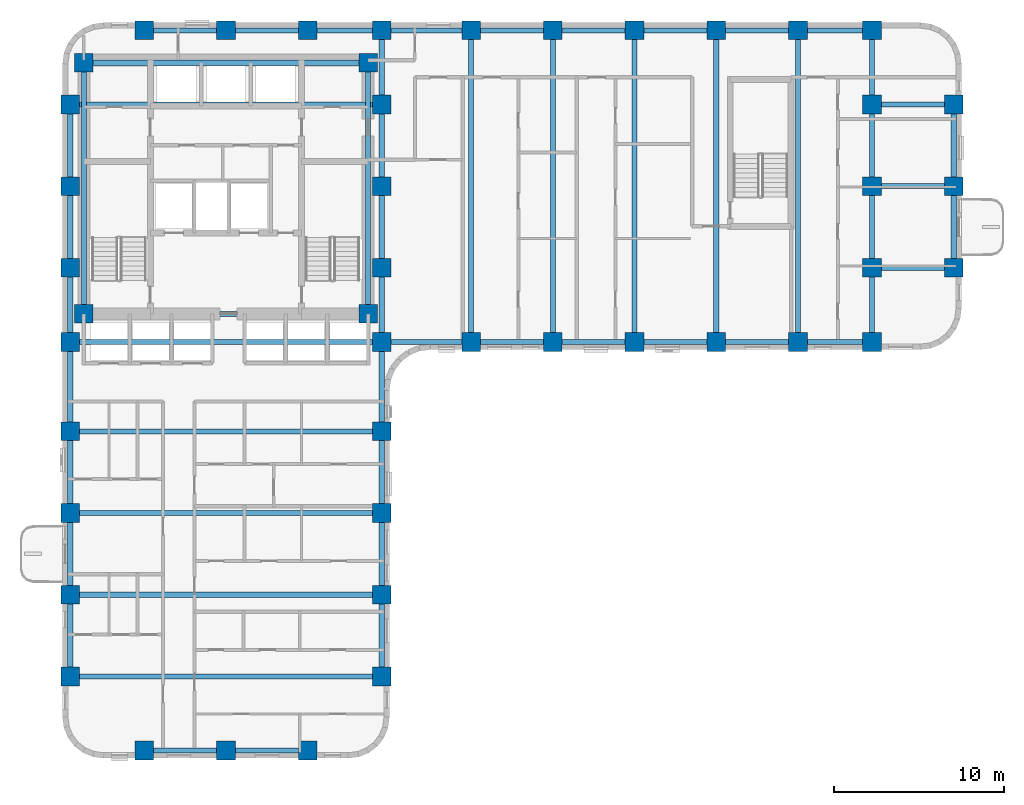
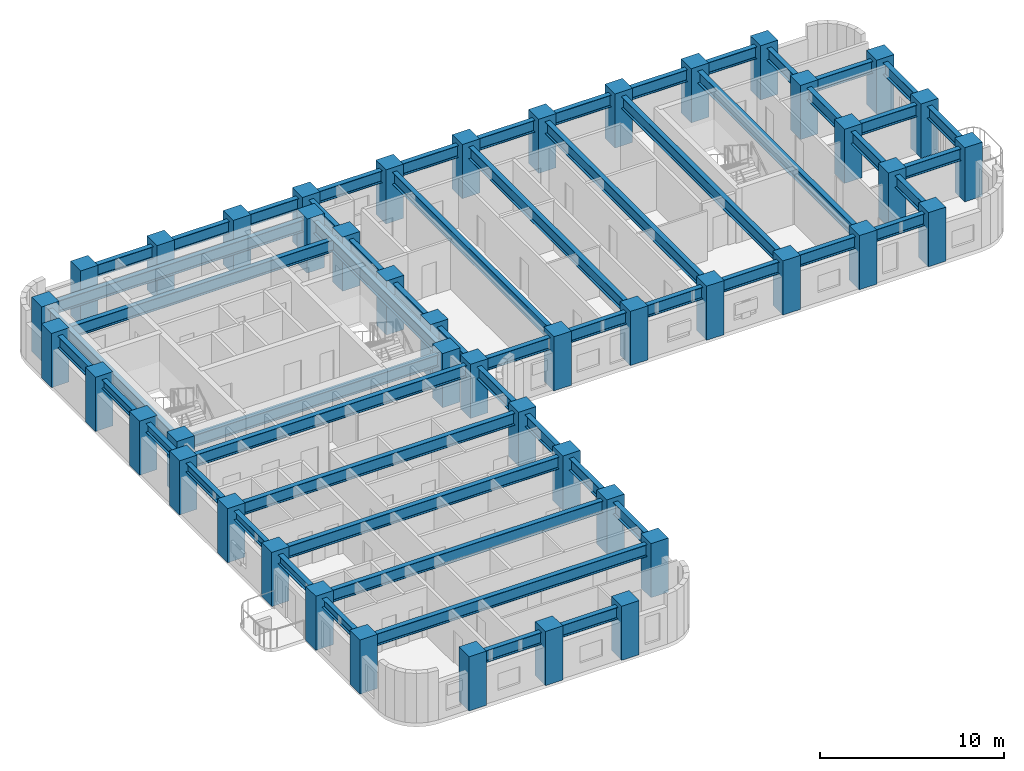
# One storey, part 1 of 11: 56 beams, 45 columns.
"""IFC4 building model written with IfcOpenShell, lengths in metres."""

from ifc_helpers import new_model, si_unit, direction, frame, origin, origin_2d, place, context, subcontext, project, spatial, rectangle, i_section, extrude, material, material_profile, profile_set, type_object, element, save


model = new_model("IFC4")

# Units and contexts
model_context = context("Model", 3, precision=1e-05, world=origin(), true_north=direction((0.0, 1.0)))
body_context = subcontext(model_context, "Body", "Model", "MODEL_VIEW")
ifc_project = project(units=[si_unit("LENGTHUNIT", "METRE"), si_unit("AREAUNIT", "SQUARE_METRE"), si_unit("VOLUMEUNIT", "CUBIC_METRE"), si_unit("PLANEANGLEUNIT", "RADIAN"), si_unit("MASSUNIT", "GRAM", prefix="KILO")], contexts=[model_context])

# Site, building, storey
site_placement = place(None, origin())
site = spatial("IfcSite", under=ifc_project, at=site_placement, CompositionType="ELEMENT")
building_placement = place(site_placement, origin())
building = spatial("IfcBuilding", under=site, at=building_placement, Name="Orvandelia Arch Residences", CompositionType="ELEMENT")
storey_placement = place(building_placement, frame((0.0, 0.0, 93.39990234375)))
storey = spatial("IfcBuildingStorey", under=building, at=storey_placement, Name="L24", CompositionType="ELEMENT", Elevation=93.39990234375)

# Columns
ifc_material_1 = material(Name="Concrete C80/95", Category="concrete")
ifc_material_profile_1 = material_profile(ifc_material_1, rectangle(XDim=1.10009765625, YDim=1.10009765625, at=origin_2d()), Name="Concrete C80/95", Category="concrete")
ifc_profile_set_1 = profile_set([ifc_material_profile_1], Name="Concrete C80/95")
column_type = type_object("IfcColumnType", Name="COL-TWR-1100", PredefinedType="COLUMN", material=ifc_profile_set_1)
for number, where, z_axis, x_axis, name in (
    (1, (5.25, 9.60009765625, 0.0), (0.0, 0.0, 1.0), (1.0, 0.0, 0.0), "Structural Column L24-W-W-96"),
    (2, (5.25, 14.39990234375, 0.0), (0.0, 0.0, 1.0), (1.0, 0.0, 0.0), "Structural Column L24-W-W-144"),
    (3, (5.25, 19.199951171875, 0.0), (0.0, 0.0, 1.0), (1.0, 0.0, 0.0), "Structural Column L24-W-W-192"),
    (4, (5.25, 24.0, 0.0), (0.0, 0.0, 1.0), (1.0, 0.0, 0.0), "Structural Column L24-W-W-240"),
    (5, (5.25, 29.25, 0.0), (0.0, 0.0, 1.0), (1.0, 0.0, 0.0), "Structural Column L24-W-W-292"),
    (6, (5.25, 33.60009765625, 0.0), (0.0, 0.0, 1.0), (1.0, 0.0, 0.0), "Structural Column L24-W-W-336"),
    (7, (5.25, 38.39990234375, 0.0), (0.0, 0.0, 1.0), (1.0, 0.0, 0.0), "Structural Column L24-W-W-384"),
    (8, (5.25, 43.199951171875, 0.0), (0.0, 0.0, 1.0), (1.0, 0.0, 0.0), "Structural Column L24-W-W-432"),
    (9, (6.050048828125, 30.89990234375, 0.0), (0.0, 0.0, 1.0), (1.0, 0.0, 0.0), "Structural Column L24-CR-SW"),
    (10, (6.050048828125, 45.64990234375, 0.0), (0.0, 0.0, 1.0), (1.0, 0.0, 0.0), "Structural Column L24-CR-NW"),
    (11, (9.60009765625, 5.25, 0.0), (0.0, 0.0, 1.0), (1.0, 0.0, 0.0), "Structural Column L24-W-S-96"),
    (12, (9.60009765625, 47.550048828125, 0.0), (0.0, 0.0, 1.0), (1.0, 0.0, 0.0), "Structural Column L24-W-N-96"),
    (13, (14.39990234375, 5.25, 0.0), (0.0, 0.0, 1.0), (1.0, 0.0, 0.0), "Structural Column L24-W-S-144"),
    (14, (14.39990234375, 47.550048828125, 0.0), (0.0, 0.0, 1.0), (1.0, 0.0, 0.0), "Structural Column L24-W-N-144"),
    (15, (19.199951171875, 5.25, 0.0), (0.0, 0.0, 1.0), (1.0, 0.0, 0.0), "Structural Column L24-W-S-192"),
    (16, (19.199951171875, 47.550048828125, 0.0), (0.0, 0.0, 1.0), (1.0, 0.0, 0.0), "Structural Column L24-W-N-192"),
    (17, (22.75, 30.89990234375, 0.0), (0.0, 0.0, 1.0), (1.0, 0.0, 0.0), "Structural Column L24-CR-SE"),
    (18, (22.75, 45.64990234375, 0.0), (0.0, 0.0, 1.0), (1.0, 0.0, 0.0), "Structural Column L24-CR-NE"),
    (19, (23.550048828125, 9.60009765625, 0.0), (0.0, 0.0, 1.0), (1.0, 0.0, 0.0), "Structural Column L24-W-E-96"),
    (20, (23.550048828125, 14.39990234375, 0.0), (0.0, 0.0, 1.0), (1.0, 0.0, 0.0), "Structural Column L24-W-E-144"),
    (21, (23.550048828125, 19.199951171875, 0.0), (0.0, 0.0, 1.0), (1.0, 0.0, 0.0), "Structural Column L24-W-E-192"),
    (22, (23.550048828125, 24.0, 0.0), (0.0, 0.0, 1.0), (1.0, 0.0, 0.0), "Structural Column L24-W-E-240"),
    (23, (23.550048828125, 29.25, 0.0), (0.0, 0.0, 1.0), (1.0, 0.0, 0.0), "Structural Column L24-W-E-292"),
    (24, (23.550048828125, 33.60009765625, 0.0), (0.0, 0.0, 1.0), (1.0, 0.0, 0.0), "Structural Column L24-W-E-336"),
    (25, (23.550048828125, 38.39990234375, 0.0), (0.0, 0.0, 1.0), (1.0, 0.0, 0.0), "Structural Column L24-W-E-384"),
    (26, (23.550048828125, 43.199951171875, 0.0), (0.0, 0.0, 1.0), (1.0, 0.0, 0.0), "Structural Column L24-W-E-432"),
    (27, (23.550048828125, 47.550048828125, 0.0), (0.0, 0.0, 1.0), (1.0, 0.0, 0.0), "Structural Column L24-W-N-235"),
    (28, (28.800048828125, 29.25, 0.0), (0.0, 0.0, 1.0), (1.0, 0.0, 0.0), "Structural Column L24-E-S-288"),
    (29, (28.800048828125, 47.550048828125, 0.0), (0.0, 0.0, 1.0), (1.0, 0.0, 0.0), "Structural Column L24-E-N-288"),
    (30, (33.60009765625, 29.25, 0.0), (0.0, 0.0, 1.0), (1.0, 0.0, 0.0), "Structural Column L24-E-S-336"),
    (31, (33.60009765625, 47.550048828125, 0.0), (0.0, 0.0, 1.0), (1.0, 0.0, 0.0), "Structural Column L24-E-N-336"),
    (32, (38.39990234375, 29.25, 0.0), (0.0, 0.0, 1.0), (1.0, 0.0, 0.0), "Structural Column L24-E-S-384"),
    (33, (38.39990234375, 47.550048828125, 0.0), (0.0, 0.0, 1.0), (1.0, 0.0, 0.0), "Structural Column L24-E-N-384"),
    (34, (43.199951171875, 29.25, 0.0), (0.0, 0.0, 1.0), (1.0, 0.0, 0.0), "Structural Column L24-E-S-432"),
    (35, (43.199951171875, 47.550048828125, 0.0), (0.0, 0.0, 1.0), (1.0, 0.0, 0.0), "Structural Column L24-E-N-432"),
    (36, (48.0, 29.25, 0.0), (0.0, 0.0, 1.0), (1.0, 0.0, 0.0), "Structural Column L24-E-S-480"),
    (37, (48.0, 47.550048828125, 0.0), (0.0, 0.0, 1.0), (1.0, 0.0, 0.0), "Structural Column L24-E-N-480"),
    (38, (52.35009765625, 29.25, 0.0), (0.0, 0.0, 1.0), (1.0, 0.0, 0.0), "Structural Column L24-E-S-523"),
    (39, (52.35009765625, 33.60009765625, 0.0), (0.0, 0.0, 1.0), (1.0, 0.0, 0.0), "Structural Column L24-E-523-336"),
    (40, (52.35009765625, 38.39990234375, 0.0), (0.0, 0.0, 1.0), (1.0, 0.0, 0.0), "Structural Column L24-E-523-384"),
    (41, (52.35009765625, 43.199951171875, 0.0), (0.0, 0.0, 1.0), (1.0, 0.0, 0.0), "Structural Column L24-E-523-432"),
    (42, (52.35009765625, 47.550048828125, 0.0), (0.0, 0.0, 1.0), (1.0, 0.0, 0.0), "Structural Column L24-E-N-523"),
    (43, (57.14990234375, 33.60009765625, 0.0), (0.0, 0.0, 1.0), (1.0, 0.0, 0.0), "Structural Column L24-E-571-336"),
    (44, (57.14990234375, 38.39990234375, 0.0), (0.0, 0.0, 1.0), (1.0, 0.0, 0.0), "Structural Column L24-E-571-384"),
    (45, (57.14990234375, 43.199951171875, 0.0), (0.0, 0.0, 1.0), (1.0, 0.0, 0.0), "Structural Column L24-E-571-432"),
):
    element("IfcColumn", number, at=place(storey_placement, frame(where, z_axis=z_axis, x_axis=x_axis)), inside=storey, type_object=column_type, Name=name, PredefinedType="COLUMN", context=body_context, shape_type="SweptSolid", body=[
        extrude(rectangle(XDim=1.10009765625, YDim=1.10009765625, at=origin_2d()), origin(), (0.0, 0.0, 1.0), 3.60009765625),
    ])

# Beams
ifc_material_2 = material(Name="Structural Steel SM355 (355 MPa)", Category="steel")
ifc_material_profile_2 = material_profile(ifc_material_2, i_section(OverallWidth=0.300048828125, OverallDepth=0.800048828125, WebThickness=0.013916015625, FlangeThickness=0.02587890625, FilletRadius=0.02587890625, at=origin_2d()), Name="Structural Steel SM355 (355 MPa)", Category="steel")
ifc_profile_set_2 = profile_set([ifc_material_profile_2], Name="Structural Steel SM355 (355 MPa)")
beam_type_1 = type_object("IfcBeamType", Name="BM-GRD-H800", PredefinedType="BEAM", material=ifc_profile_set_2)
beam_1_placement = place(storey_placement, frame((5.25, 38.39990234375, 2.900146484375), z_axis=(0.0, 1.0, 0.0), x_axis=(-1.0, 0.0, 0.0)))
element("IfcBeam", 46, at=beam_1_placement, inside=storey, type_object=beam_type_1, Name="Structural Frame Beam L24-NS-007", PredefinedType="BEAM", context=body_context, shape_type="SweptSolid", body=[
    extrude(i_section(OverallWidth=0.300048828125, OverallDepth=0.800048828125, WebThickness=0.013916015625, FlangeThickness=0.02587890625, FilletRadius=0.02587890625, at=origin_2d()), origin(), (0.0, 0.0, 1.0), 4.800048828125),
])
for number, where, z_axis, x_axis, name in (
    (47, (6.050048828125, 30.89990234375, 2.900146484375), (0.0, 1.0, 0.0), (-1.0, 0.0, 0.0), "Structural Frame Beam L24-NS-008"),
    (48, (22.75, 30.89990234375, 2.900146484375), (0.0, 1.0, 0.0), (-1.0, 0.0, 0.0), "Structural Frame Beam L24-NS-009"),
):
    element("IfcBeam", number, at=place(storey_placement, frame(where, z_axis=z_axis, x_axis=x_axis)), inside=storey, type_object=beam_type_1, Name=name, PredefinedType="BEAM", context=body_context, shape_type="SweptSolid", body=[
        extrude(i_section(OverallWidth=0.300048828125, OverallDepth=0.800048828125, WebThickness=0.013916015625, FlangeThickness=0.02587890625, FilletRadius=0.02587890625, at=origin_2d()), origin(), (0.0, 0.0, 1.0), 14.75),
    ])
beam_2_placement = place(storey_placement, frame((23.550048828125, 9.60009765625, 2.900146484375), z_axis=(0.0, 1.0, 0.0), x_axis=(-1.0, 0.0, 0.0)))
element("IfcBeam", 49, at=beam_2_placement, inside=storey, type_object=beam_type_1, Name="Structural Frame Beam L24-NS-010", PredefinedType="BEAM", context=body_context, shape_type="SweptSolid", body=[
    extrude(i_section(OverallWidth=0.300048828125, OverallDepth=0.800048828125, WebThickness=0.013916015625, FlangeThickness=0.02587890625, FilletRadius=0.02587890625, at=origin_2d()), origin(), (0.0, 0.0, 1.0), 4.7998046875),
])
for number, where, z_axis, x_axis, name in (
    (50, (23.550048828125, 14.39990234375, 2.900146484375), (0.0, 1.0, 0.0), (-1.0, 0.0, 0.0), "Structural Frame Beam L24-NS-011"),
    (51, (23.550048828125, 19.199951171875, 2.900146484375), (0.0, 1.0, 0.0), (-1.0, 0.0, 0.0), "Structural Frame Beam L24-NS-012"),
):
    element("IfcBeam", number, at=place(storey_placement, frame(where, z_axis=z_axis, x_axis=x_axis)), inside=storey, type_object=beam_type_1, Name=name, PredefinedType="BEAM", context=body_context, shape_type="SweptSolid", body=[
        extrude(i_section(OverallWidth=0.300048828125, OverallDepth=0.800048828125, WebThickness=0.013916015625, FlangeThickness=0.02587890625, FilletRadius=0.02587890625, at=origin_2d()), origin(), (0.0, 0.0, 1.0), 4.800048828125),
    ])
beam_3_placement = place(storey_placement, frame((23.550048828125, 24.0, 2.900146484375), z_axis=(0.0, 1.0, 0.0), x_axis=(-1.0, 0.0, 0.0)))
element("IfcBeam", 52, at=beam_3_placement, inside=storey, type_object=beam_type_1, Name="Structural Frame Beam L24-NS-013", PredefinedType="BEAM", context=body_context, shape_type="SweptSolid", body=[
    extrude(i_section(OverallWidth=0.300048828125, OverallDepth=0.800048828125, WebThickness=0.013916015625, FlangeThickness=0.02587890625, FilletRadius=0.02587890625, at=origin_2d()), origin(), (0.0, 0.0, 1.0), 5.25),
])
beam_4_placement = place(storey_placement, frame((23.550048828125, 29.25, 2.900146484375), z_axis=(0.0, 1.0, 0.0), x_axis=(-1.0, 0.0, 0.0)))
element("IfcBeam", 53, at=beam_4_placement, inside=storey, type_object=beam_type_1, Name="Structural Frame Beam L24-NS-014", PredefinedType="BEAM", context=body_context, shape_type="SweptSolid", body=[
    extrude(i_section(OverallWidth=0.300048828125, OverallDepth=0.800048828125, WebThickness=0.013916015625, FlangeThickness=0.02587890625, FilletRadius=0.02587890625, at=origin_2d()), origin(), (0.0, 0.0, 1.0), 4.35009765625),
])
beam_5_placement = place(storey_placement, frame((23.550048828125, 33.60009765625, 2.900146484375), z_axis=(0.0, 1.0, 0.0), x_axis=(-1.0, 0.0, 0.0)))
element("IfcBeam", 54, at=beam_5_placement, inside=storey, type_object=beam_type_1, Name="Structural Frame Beam L24-NS-015", PredefinedType="BEAM", context=body_context, shape_type="SweptSolid", body=[
    extrude(i_section(OverallWidth=0.300048828125, OverallDepth=0.800048828125, WebThickness=0.013916015625, FlangeThickness=0.02587890625, FilletRadius=0.02587890625, at=origin_2d()), origin(), (0.0, 0.0, 1.0), 4.7998046875),
])
beam_6_placement = place(storey_placement, frame((23.550048828125, 38.39990234375, 2.900146484375), z_axis=(0.0, 1.0, 0.0), x_axis=(-1.0, 0.0, 0.0)))
element("IfcBeam", 55, at=beam_6_placement, inside=storey, type_object=beam_type_1, Name="Structural Frame Beam L24-NS-016", PredefinedType="BEAM", context=body_context, shape_type="SweptSolid", body=[
    extrude(i_section(OverallWidth=0.300048828125, OverallDepth=0.800048828125, WebThickness=0.013916015625, FlangeThickness=0.02587890625, FilletRadius=0.02587890625, at=origin_2d()), origin(), (0.0, 0.0, 1.0), 4.800048828125),
])
beam_7_placement = place(storey_placement, frame((23.550048828125, 43.199951171875, 2.900146484375), z_axis=(0.0, 1.0, 0.0), x_axis=(-1.0, 0.0, 0.0)))
element("IfcBeam", 56, at=beam_7_placement, inside=storey, type_object=beam_type_1, Name="Structural Frame Beam L24-NS-017", PredefinedType="BEAM", context=body_context, shape_type="SweptSolid", body=[
    extrude(i_section(OverallWidth=0.300048828125, OverallDepth=0.800048828125, WebThickness=0.013916015625, FlangeThickness=0.02587890625, FilletRadius=0.02587890625, at=origin_2d()), origin(), (0.0, 0.0, 1.0), 4.35009765625),
])
for number, where, z_axis, x_axis, name in (
    (57, (28.800048828125, 29.25, 2.900146484375), (0.0, 1.0, 0.0), (-1.0, 0.0, 0.0), "Structural Frame Beam L24-NS-018"),
    (58, (33.60009765625, 29.25, 2.900146484375), (0.0, 1.0, 0.0), (-1.0, 0.0, 0.0), "Structural Frame Beam L24-NS-019"),
    (59, (38.39990234375, 29.25, 2.900146484375), (0.0, 1.0, 0.0), (-1.0, 0.0, 0.0), "Structural Frame Beam L24-NS-020"),
    (60, (43.199951171875, 29.25, 2.900146484375), (0.0, 1.0, 0.0), (-1.0, 0.0, 0.0), "Structural Frame Beam L24-NS-021"),
    (61, (48.0, 29.25, 2.900146484375), (0.0, 1.0, 0.0), (-1.0, 0.0, 0.0), "Structural Frame Beam L24-NS-022"),
):
    element("IfcBeam", number, at=place(storey_placement, frame(where, z_axis=z_axis, x_axis=x_axis)), inside=storey, type_object=beam_type_1, Name=name, PredefinedType="BEAM", context=body_context, shape_type="SweptSolid", body=[
        extrude(i_section(OverallWidth=0.300048828125, OverallDepth=0.800048828125, WebThickness=0.013916015625, FlangeThickness=0.02587890625, FilletRadius=0.02587890625, at=origin_2d()), origin(), (0.0, 0.0, 1.0), 18.300048828125),
    ])
beam_8_placement = place(storey_placement, frame((52.35009765625, 29.25, 2.900146484375), z_axis=(0.0, 1.0, 0.0), x_axis=(-1.0, 0.0, 0.0)))
element("IfcBeam", 62, at=beam_8_placement, inside=storey, type_object=beam_type_1, Name="Structural Frame Beam L24-NS-023", PredefinedType="BEAM", context=body_context, shape_type="SweptSolid", body=[
    extrude(i_section(OverallWidth=0.300048828125, OverallDepth=0.800048828125, WebThickness=0.013916015625, FlangeThickness=0.02587890625, FilletRadius=0.02587890625, at=origin_2d()), origin(), (0.0, 0.0, 1.0), 4.35009765625),
])
beam_9_placement = place(storey_placement, frame((52.35009765625, 33.60009765625, 2.900146484375), z_axis=(0.0, 1.0, 0.0), x_axis=(-1.0, 0.0, 0.0)))
element("IfcBeam", 63, at=beam_9_placement, inside=storey, type_object=beam_type_1, Name="Structural Frame Beam L24-NS-024", PredefinedType="BEAM", context=body_context, shape_type="SweptSolid", body=[
    extrude(i_section(OverallWidth=0.300048828125, OverallDepth=0.800048828125, WebThickness=0.013916015625, FlangeThickness=0.02587890625, FilletRadius=0.02587890625, at=origin_2d()), origin(), (0.0, 0.0, 1.0), 4.7998046875),
])
beam_10_placement = place(storey_placement, frame((52.35009765625, 38.39990234375, 2.900146484375), z_axis=(0.0, 1.0, 0.0), x_axis=(-1.0, 0.0, 0.0)))
element("IfcBeam", 64, at=beam_10_placement, inside=storey, type_object=beam_type_1, Name="Structural Frame Beam L24-NS-025", PredefinedType="BEAM", context=body_context, shape_type="SweptSolid", body=[
    extrude(i_section(OverallWidth=0.300048828125, OverallDepth=0.800048828125, WebThickness=0.013916015625, FlangeThickness=0.02587890625, FilletRadius=0.02587890625, at=origin_2d()), origin(), (0.0, 0.0, 1.0), 4.800048828125),
])
beam_11_placement = place(storey_placement, frame((52.35009765625, 43.199951171875, 2.900146484375), z_axis=(0.0, 1.0, 0.0), x_axis=(-1.0, 0.0, 0.0)))
element("IfcBeam", 65, at=beam_11_placement, inside=storey, type_object=beam_type_1, Name="Structural Frame Beam L24-NS-026", PredefinedType="BEAM", context=body_context, shape_type="SweptSolid", body=[
    extrude(i_section(OverallWidth=0.300048828125, OverallDepth=0.800048828125, WebThickness=0.013916015625, FlangeThickness=0.02587890625, FilletRadius=0.02587890625, at=origin_2d()), origin(), (0.0, 0.0, 1.0), 4.35009765625),
])
beam_12_placement = place(storey_placement, frame((57.14990234375, 33.60009765625, 2.900146484375), z_axis=(0.0, 1.0, 0.0), x_axis=(-1.0, 0.0, 0.0)))
element("IfcBeam", 66, at=beam_12_placement, inside=storey, type_object=beam_type_1, Name="Structural Frame Beam L24-NS-027", PredefinedType="BEAM", context=body_context, shape_type="SweptSolid", body=[
    extrude(i_section(OverallWidth=0.300048828125, OverallDepth=0.800048828125, WebThickness=0.013916015625, FlangeThickness=0.02587890625, FilletRadius=0.02587890625, at=origin_2d()), origin(), (0.0, 0.0, 1.0), 4.7998046875),
])
beam_13_placement = place(storey_placement, frame((57.14990234375, 38.39990234375, 2.900146484375), z_axis=(0.0, 1.0, 0.0), x_axis=(-1.0, 0.0, 0.0)))
element("IfcBeam", 67, at=beam_13_placement, inside=storey, type_object=beam_type_1, Name="Structural Frame Beam L24-NS-028", PredefinedType="BEAM", context=body_context, shape_type="SweptSolid", body=[
    extrude(i_section(OverallWidth=0.300048828125, OverallDepth=0.800048828125, WebThickness=0.013916015625, FlangeThickness=0.02587890625, FilletRadius=0.02587890625, at=origin_2d()), origin(), (0.0, 0.0, 1.0), 4.800048828125),
])
beam_14_placement = place(storey_placement, frame((9.60009765625, 5.25, 2.900146484375), z_axis=(1.0, 0.0, 0.0), x_axis=(0.0, 1.0, 0.0)))
element("IfcBeam", 68, at=beam_14_placement, inside=storey, type_object=beam_type_1, Name="Structural Frame Girder L24-EW-029", PredefinedType="BEAM", context=body_context, shape_type="SweptSolid", body=[
    extrude(i_section(OverallWidth=0.300048828125, OverallDepth=0.800048828125, WebThickness=0.013916015625, FlangeThickness=0.02587890625, FilletRadius=0.02587890625, at=origin_2d()), origin(), (0.0, 0.0, 1.0), 4.7998046875),
])
beam_15_placement = place(storey_placement, frame((14.39990234375, 5.25, 2.900146484375), z_axis=(1.0, 0.0, 0.0), x_axis=(0.0, 1.0, 0.0)))
element("IfcBeam", 69, at=beam_15_placement, inside=storey, type_object=beam_type_1, Name="Structural Frame Girder L24-EW-030", PredefinedType="BEAM", context=body_context, shape_type="SweptSolid", body=[
    extrude(i_section(OverallWidth=0.300048828125, OverallDepth=0.800048828125, WebThickness=0.013916015625, FlangeThickness=0.02587890625, FilletRadius=0.02587890625, at=origin_2d()), origin(), (0.0, 0.0, 1.0), 4.800048828125),
])
for number, where, z_axis, x_axis, name in (
    (70, (5.25, 9.60009765625, 2.900146484375), (1.0, 0.0, 0.0), (0.0, 1.0, 0.0), "Structural Frame Girder L24-EW-031"),
    (71, (5.25, 14.39990234375, 2.900146484375), (1.0, 0.0, 0.0), (0.0, 1.0, 0.0), "Structural Frame Girder L24-EW-032"),
    (72, (5.25, 19.199951171875, 2.900146484375), (1.0, 0.0, 0.0), (0.0, 1.0, 0.0), "Structural Frame Girder L24-EW-033"),
    (73, (5.25, 24.0, 2.900146484375), (1.0, 0.0, 0.0), (0.0, 1.0, 0.0), "Structural Frame Girder L24-EW-034"),
    (74, (5.25, 29.25, 2.900146484375), (1.0, 0.0, 0.0), (0.0, 1.0, 0.0), "Structural Frame Girder L24-EW-035"),
):
    element("IfcBeam", number, at=place(storey_placement, frame(where, z_axis=z_axis, x_axis=x_axis)), inside=storey, type_object=beam_type_1, Name=name, PredefinedType="BEAM", context=body_context, shape_type="SweptSolid", body=[
        extrude(i_section(OverallWidth=0.300048828125, OverallDepth=0.800048828125, WebThickness=0.013916015625, FlangeThickness=0.02587890625, FilletRadius=0.02587890625, at=origin_2d()), origin(), (0.0, 0.0, 1.0), 18.300048828125),
    ])
beam_16_placement = place(storey_placement, frame((23.550048828125, 29.25, 2.900146484375), z_axis=(1.0, 0.0, 0.0), x_axis=(0.0, 1.0, 0.0)))
element("IfcBeam", 75, at=beam_16_placement, inside=storey, type_object=beam_type_1, Name="Structural Frame Girder L24-EW-036", PredefinedType="BEAM", context=body_context, shape_type="SweptSolid", body=[
    extrude(i_section(OverallWidth=0.300048828125, OverallDepth=0.800048828125, WebThickness=0.013916015625, FlangeThickness=0.02587890625, FilletRadius=0.02587890625, at=origin_2d()), origin(), (0.0, 0.0, 1.0), 5.25),
])
beam_17_placement = place(storey_placement, frame((28.800048828125, 29.25, 2.900146484375), z_axis=(1.0, 0.0, 0.0), x_axis=(0.0, 1.0, 0.0)))
element("IfcBeam", 76, at=beam_17_placement, inside=storey, type_object=beam_type_1, Name="Structural Frame Girder L24-EW-037", PredefinedType="BEAM", context=body_context, shape_type="SweptSolid", body=[
    extrude(i_section(OverallWidth=0.300048828125, OverallDepth=0.800048828125, WebThickness=0.013916015625, FlangeThickness=0.02587890625, FilletRadius=0.02587890625, at=origin_2d()), origin(), (0.0, 0.0, 1.0), 4.800048828125),
])
beam_18_placement = place(storey_placement, frame((33.60009765625, 29.25, 2.900146484375), z_axis=(1.0, 0.0, 0.0), x_axis=(0.0, 1.0, 0.0)))
element("IfcBeam", 77, at=beam_18_placement, inside=storey, type_object=beam_type_1, Name="Structural Frame Girder L24-EW-038", PredefinedType="BEAM", context=body_context, shape_type="SweptSolid", body=[
    extrude(i_section(OverallWidth=0.300048828125, OverallDepth=0.800048828125, WebThickness=0.013916015625, FlangeThickness=0.02587890625, FilletRadius=0.02587890625, at=origin_2d()), origin(), (0.0, 0.0, 1.0), 4.7998046875),
])
for number, where, z_axis, x_axis, name in (
    (78, (38.39990234375, 29.25, 2.900146484375), (1.0, 0.0, 0.0), (0.0, 1.0, 0.0), "Structural Frame Girder L24-EW-039"),
    (79, (43.199951171875, 29.25, 2.900146484375), (1.0, 0.0, 0.0), (0.0, 1.0, 0.0), "Structural Frame Girder L24-EW-040"),
):
    element("IfcBeam", number, at=place(storey_placement, frame(where, z_axis=z_axis, x_axis=x_axis)), inside=storey, type_object=beam_type_1, Name=name, PredefinedType="BEAM", context=body_context, shape_type="SweptSolid", body=[
        extrude(i_section(OverallWidth=0.300048828125, OverallDepth=0.800048828125, WebThickness=0.013916015625, FlangeThickness=0.02587890625, FilletRadius=0.02587890625, at=origin_2d()), origin(), (0.0, 0.0, 1.0), 4.800048828125),
    ])
beam_19_placement = place(storey_placement, frame((48.0, 29.25, 2.900146484375), z_axis=(1.0, 0.0, 0.0), x_axis=(0.0, 1.0, 0.0)))
element("IfcBeam", 80, at=beam_19_placement, inside=storey, type_object=beam_type_1, Name="Structural Frame Girder L24-EW-041", PredefinedType="BEAM", context=body_context, shape_type="SweptSolid", body=[
    extrude(i_section(OverallWidth=0.300048828125, OverallDepth=0.800048828125, WebThickness=0.013916015625, FlangeThickness=0.02587890625, FilletRadius=0.02587890625, at=origin_2d()), origin(), (0.0, 0.0, 1.0), 4.35009765625),
])
beam_20_placement = place(storey_placement, frame((6.050048828125, 30.89990234375, 2.900146484375), z_axis=(1.0, 0.0, 0.0), x_axis=(0.0, 1.0, 0.0)))
element("IfcBeam", 81, at=beam_20_placement, inside=storey, type_object=beam_type_1, Name="Structural Frame Girder L24-EW-042", PredefinedType="BEAM", context=body_context, shape_type="SweptSolid", body=[
    extrude(i_section(OverallWidth=0.300048828125, OverallDepth=0.800048828125, WebThickness=0.013916015625, FlangeThickness=0.02587890625, FilletRadius=0.02587890625, at=origin_2d()), origin(), (0.0, 0.0, 1.0), 16.699951171875),
])
for number, where, z_axis, x_axis, name in (
    (82, (52.35009765625, 33.60009765625, 2.900146484375), (1.0, 0.0, 0.0), (0.0, 1.0, 0.0), "Structural Frame Girder L24-EW-044"),
    (83, (52.35009765625, 38.39990234375, 2.900146484375), (1.0, 0.0, 0.0), (0.0, 1.0, 0.0), "Structural Frame Girder L24-EW-046"),
):
    element("IfcBeam", number, at=place(storey_placement, frame(where, z_axis=z_axis, x_axis=x_axis)), inside=storey, type_object=beam_type_1, Name=name, PredefinedType="BEAM", context=body_context, shape_type="SweptSolid", body=[
        extrude(i_section(OverallWidth=0.300048828125, OverallDepth=0.800048828125, WebThickness=0.013916015625, FlangeThickness=0.02587890625, FilletRadius=0.02587890625, at=origin_2d()), origin(), (0.0, 0.0, 1.0), 4.7998046875),
    ])
beam_21_placement = place(storey_placement, frame((5.25, 43.199951171875, 2.900146484375), z_axis=(1.0, 0.0, 0.0), x_axis=(0.0, 1.0, 0.0)))
element("IfcBeam", 84, at=beam_21_placement, inside=storey, type_object=beam_type_1, Name="Structural Frame Girder L24-EW-047", PredefinedType="BEAM", context=body_context, shape_type="SweptSolid", body=[
    extrude(i_section(OverallWidth=0.300048828125, OverallDepth=0.800048828125, WebThickness=0.013916015625, FlangeThickness=0.02587890625, FilletRadius=0.02587890625, at=origin_2d()), origin(), (0.0, 0.0, 1.0), 18.300048828125),
])
beam_22_placement = place(storey_placement, frame((52.35009765625, 43.199951171875, 2.900146484375), z_axis=(1.0, 0.0, 0.0), x_axis=(0.0, 1.0, 0.0)))
element("IfcBeam", 85, at=beam_22_placement, inside=storey, type_object=beam_type_1, Name="Structural Frame Girder L24-EW-048", PredefinedType="BEAM", context=body_context, shape_type="SweptSolid", body=[
    extrude(i_section(OverallWidth=0.300048828125, OverallDepth=0.800048828125, WebThickness=0.013916015625, FlangeThickness=0.02587890625, FilletRadius=0.02587890625, at=origin_2d()), origin(), (0.0, 0.0, 1.0), 4.7998046875),
])
beam_23_placement = place(storey_placement, frame((6.050048828125, 45.64990234375, 2.900146484375), z_axis=(1.0, 0.0, 0.0), x_axis=(0.0, 1.0, 0.0)))
element("IfcBeam", 86, at=beam_23_placement, inside=storey, type_object=beam_type_1, Name="Structural Frame Girder L24-EW-049", PredefinedType="BEAM", context=body_context, shape_type="SweptSolid", body=[
    extrude(i_section(OverallWidth=0.300048828125, OverallDepth=0.800048828125, WebThickness=0.013916015625, FlangeThickness=0.02587890625, FilletRadius=0.02587890625, at=origin_2d()), origin(), (0.0, 0.0, 1.0), 16.699951171875),
])
beam_24_placement = place(storey_placement, frame((9.60009765625, 47.550048828125, 2.900146484375), z_axis=(1.0, 0.0, 0.0), x_axis=(0.0, 1.0, 0.0)))
element("IfcBeam", 87, at=beam_24_placement, inside=storey, type_object=beam_type_1, Name="Structural Frame Girder L24-EW-050", PredefinedType="BEAM", context=body_context, shape_type="SweptSolid", body=[
    extrude(i_section(OverallWidth=0.300048828125, OverallDepth=0.800048828125, WebThickness=0.013916015625, FlangeThickness=0.02587890625, FilletRadius=0.02587890625, at=origin_2d()), origin(), (0.0, 0.0, 1.0), 4.7998046875),
])
beam_25_placement = place(storey_placement, frame((14.39990234375, 47.550048828125, 2.900146484375), z_axis=(1.0, 0.0, 0.0), x_axis=(0.0, 1.0, 0.0)))
element("IfcBeam", 88, at=beam_25_placement, inside=storey, type_object=beam_type_1, Name="Structural Frame Girder L24-EW-051", PredefinedType="BEAM", context=body_context, shape_type="SweptSolid", body=[
    extrude(i_section(OverallWidth=0.300048828125, OverallDepth=0.800048828125, WebThickness=0.013916015625, FlangeThickness=0.02587890625, FilletRadius=0.02587890625, at=origin_2d()), origin(), (0.0, 0.0, 1.0), 4.800048828125),
])
beam_26_placement = place(storey_placement, frame((19.199951171875, 47.550048828125, 2.900146484375), z_axis=(1.0, 0.0, 0.0), x_axis=(0.0, 1.0, 0.0)))
element("IfcBeam", 89, at=beam_26_placement, inside=storey, type_object=beam_type_1, Name="Structural Frame Girder L24-EW-052", PredefinedType="BEAM", context=body_context, shape_type="SweptSolid", body=[
    extrude(i_section(OverallWidth=0.300048828125, OverallDepth=0.800048828125, WebThickness=0.013916015625, FlangeThickness=0.02587890625, FilletRadius=0.02587890625, at=origin_2d()), origin(), (0.0, 0.0, 1.0), 4.35009765625),
])
beam_27_placement = place(storey_placement, frame((23.550048828125, 47.550048828125, 2.900146484375), z_axis=(1.0, 0.0, 0.0), x_axis=(0.0, 1.0, 0.0)))
element("IfcBeam", 90, at=beam_27_placement, inside=storey, type_object=beam_type_1, Name="Structural Frame Girder L24-EW-053", PredefinedType="BEAM", context=body_context, shape_type="SweptSolid", body=[
    extrude(i_section(OverallWidth=0.300048828125, OverallDepth=0.800048828125, WebThickness=0.013916015625, FlangeThickness=0.02587890625, FilletRadius=0.02587890625, at=origin_2d()), origin(), (0.0, 0.0, 1.0), 5.25),
])
beam_28_placement = place(storey_placement, frame((28.800048828125, 47.550048828125, 2.900146484375), z_axis=(1.0, 0.0, 0.0), x_axis=(0.0, 1.0, 0.0)))
element("IfcBeam", 91, at=beam_28_placement, inside=storey, type_object=beam_type_1, Name="Structural Frame Girder L24-EW-054", PredefinedType="BEAM", context=body_context, shape_type="SweptSolid", body=[
    extrude(i_section(OverallWidth=0.300048828125, OverallDepth=0.800048828125, WebThickness=0.013916015625, FlangeThickness=0.02587890625, FilletRadius=0.02587890625, at=origin_2d()), origin(), (0.0, 0.0, 1.0), 4.800048828125),
])
beam_29_placement = place(storey_placement, frame((33.60009765625, 47.550048828125, 2.900146484375), z_axis=(1.0, 0.0, 0.0), x_axis=(0.0, 1.0, 0.0)))
element("IfcBeam", 92, at=beam_29_placement, inside=storey, type_object=beam_type_1, Name="Structural Frame Girder L24-EW-055", PredefinedType="BEAM", context=body_context, shape_type="SweptSolid", body=[
    extrude(i_section(OverallWidth=0.300048828125, OverallDepth=0.800048828125, WebThickness=0.013916015625, FlangeThickness=0.02587890625, FilletRadius=0.02587890625, at=origin_2d()), origin(), (0.0, 0.0, 1.0), 4.7998046875),
])
for number, where, z_axis, x_axis, name in (
    (93, (38.39990234375, 47.550048828125, 2.900146484375), (1.0, 0.0, 0.0), (0.0, 1.0, 0.0), "Structural Frame Girder L24-EW-056"),
    (94, (43.199951171875, 47.550048828125, 2.900146484375), (1.0, 0.0, 0.0), (0.0, 1.0, 0.0), "Structural Frame Girder L24-EW-057"),
):
    element("IfcBeam", number, at=place(storey_placement, frame(where, z_axis=z_axis, x_axis=x_axis)), inside=storey, type_object=beam_type_1, Name=name, PredefinedType="BEAM", context=body_context, shape_type="SweptSolid", body=[
        extrude(i_section(OverallWidth=0.300048828125, OverallDepth=0.800048828125, WebThickness=0.013916015625, FlangeThickness=0.02587890625, FilletRadius=0.02587890625, at=origin_2d()), origin(), (0.0, 0.0, 1.0), 4.800048828125),
    ])
beam_30_placement = place(storey_placement, frame((48.0, 47.550048828125, 2.900146484375), z_axis=(1.0, 0.0, 0.0), x_axis=(0.0, 1.0, 0.0)))
element("IfcBeam", 95, at=beam_30_placement, inside=storey, type_object=beam_type_1, Name="Structural Frame Girder L24-EW-058", PredefinedType="BEAM", context=body_context, shape_type="SweptSolid", body=[
    extrude(i_section(OverallWidth=0.300048828125, OverallDepth=0.800048828125, WebThickness=0.013916015625, FlangeThickness=0.02587890625, FilletRadius=0.02587890625, at=origin_2d()), origin(), (0.0, 0.0, 1.0), 4.35009765625),
])
ifc_material_profile_3 = material_profile(ifc_material_2, i_section(OverallWidth=0.300048828125, OverallDepth=0.587890625, WebThickness=0.011962890625, FlangeThickness=0.02001953125, FilletRadius=0.02197265625, at=origin_2d()), Name="Structural Steel SM355 (355 MPa)", Category="steel")
ifc_profile_set_3 = profile_set([ifc_material_profile_3], Name="Structural Steel SM355 (355 MPa)")
beam_type_2 = type_object("IfcBeamType", Name="BM-SPN-H588", PredefinedType="SPANDREL", material=ifc_profile_set_3)
beam_31_placement = place(storey_placement, frame((5.25, 9.60009765625, 3.006103515625), z_axis=(0.0, 1.0, 0.0), x_axis=(-1.0, 0.0, 0.0)))
element("IfcBeam", 96, at=beam_31_placement, inside=storey, type_object=beam_type_2, Name="Structural Frame Beam L24-NS-001", PredefinedType="SPANDREL", context=body_context, shape_type="SweptSolid", body=[
    extrude(i_section(OverallWidth=0.300048828125, OverallDepth=0.587890625, WebThickness=0.011962890625, FlangeThickness=0.02001953125, FilletRadius=0.02197265625, at=origin_2d()), origin(), (0.0, 0.0, 1.0), 4.7998046875),
])
for number, where, z_axis, x_axis, name in (
    (97, (5.25, 14.39990234375, 3.006103515625), (0.0, 1.0, 0.0), (-1.0, 0.0, 0.0), "Structural Frame Beam L24-NS-002"),
    (98, (5.25, 19.199951171875, 3.006103515625), (0.0, 1.0, 0.0), (-1.0, 0.0, 0.0), "Structural Frame Beam L24-NS-003"),
):
    element("IfcBeam", number, at=place(storey_placement, frame(where, z_axis=z_axis, x_axis=x_axis)), inside=storey, type_object=beam_type_2, Name=name, PredefinedType="SPANDREL", context=body_context, shape_type="SweptSolid", body=[
        extrude(i_section(OverallWidth=0.300048828125, OverallDepth=0.587890625, WebThickness=0.011962890625, FlangeThickness=0.02001953125, FilletRadius=0.02197265625, at=origin_2d()), origin(), (0.0, 0.0, 1.0), 4.800048828125),
    ])
beam_32_placement = place(storey_placement, frame((5.25, 24.0, 3.006103515625), z_axis=(0.0, 1.0, 0.0), x_axis=(-1.0, 0.0, 0.0)))
element("IfcBeam", 99, at=beam_32_placement, inside=storey, type_object=beam_type_2, Name="Structural Frame Beam L24-NS-004", PredefinedType="SPANDREL", context=body_context, shape_type="SweptSolid", body=[
    extrude(i_section(OverallWidth=0.300048828125, OverallDepth=0.587890625, WebThickness=0.011962890625, FlangeThickness=0.02001953125, FilletRadius=0.02197265625, at=origin_2d()), origin(), (0.0, 0.0, 1.0), 5.25),
])
beam_33_placement = place(storey_placement, frame((5.25, 29.25, 3.006103515625), z_axis=(0.0, 1.0, 0.0), x_axis=(-1.0, 0.0, 0.0)))
element("IfcBeam", 100, at=beam_33_placement, inside=storey, type_object=beam_type_2, Name="Structural Frame Beam L24-NS-005", PredefinedType="SPANDREL", context=body_context, shape_type="SweptSolid", body=[
    extrude(i_section(OverallWidth=0.300048828125, OverallDepth=0.587890625, WebThickness=0.011962890625, FlangeThickness=0.02001953125, FilletRadius=0.02197265625, at=origin_2d()), origin(), (0.0, 0.0, 1.0), 4.35009765625),
])
beam_34_placement = place(storey_placement, frame((5.25, 33.60009765625, 3.006103515625), z_axis=(0.0, 1.0, 0.0), x_axis=(-1.0, 0.0, 0.0)))
element("IfcBeam", 101, at=beam_34_placement, inside=storey, type_object=beam_type_2, Name="Structural Frame Beam L24-NS-006", PredefinedType="SPANDREL", context=body_context, shape_type="SweptSolid", body=[
    extrude(i_section(OverallWidth=0.300048828125, OverallDepth=0.587890625, WebThickness=0.011962890625, FlangeThickness=0.02001953125, FilletRadius=0.02197265625, at=origin_2d()), origin(), (0.0, 0.0, 1.0), 4.7998046875),
])

save(model, "model.ifc")
